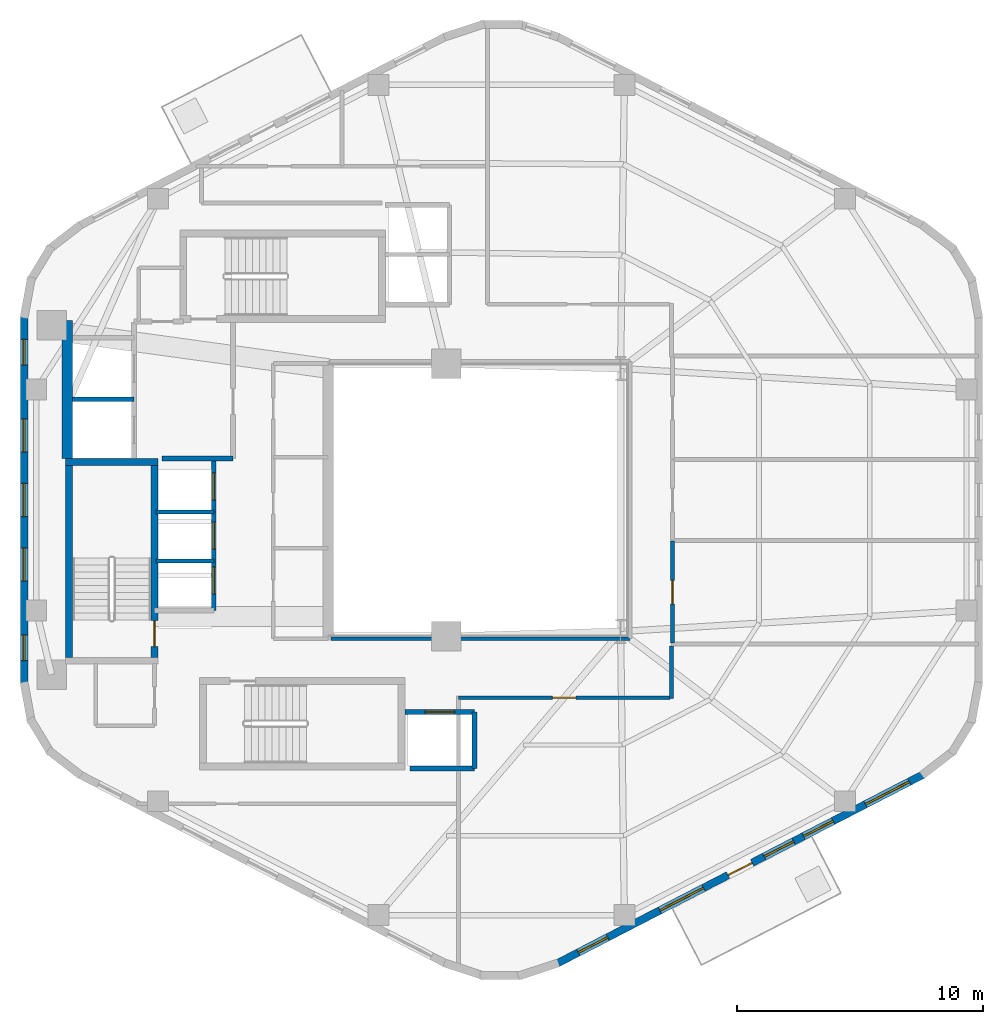
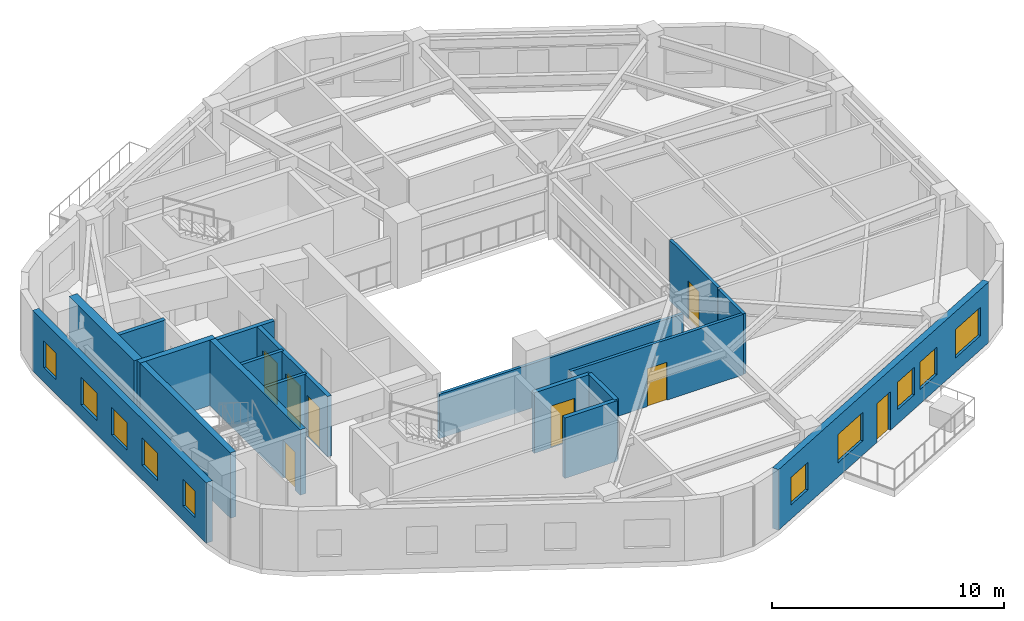
# One storey, part 3 of 8: 18 walls, 10 windows, 8 doors, 18 openings.
"""IFC4 building model written with IfcOpenShell, lengths in metres."""

from ifc_helpers import new_model, si_unit, direction, frame, frame_2d, origin, place, context, subcontext, project, spatial, rectangle, extrude, material, layer, layer_set, type_object, element, fill, save


model = new_model("IFC4")

# Units and contexts
model_context = context("Model", 3, precision=1e-05, world=origin(), true_north=direction((0.0, 1.0)))
body_context = subcontext(model_context, "Body", "Model", "MODEL_VIEW")
ifc_project = project(units=[si_unit("LENGTHUNIT", "METRE"), si_unit("AREAUNIT", "SQUARE_METRE"), si_unit("VOLUMEUNIT", "CUBIC_METRE"), si_unit("PLANEANGLEUNIT", "RADIAN"), si_unit("MASSUNIT", "GRAM", prefix="KILO"), si_unit("THERMODYNAMICTEMPERATUREUNIT", "KELVIN"), si_unit("POWERUNIT", "WATT")], contexts=[model_context])

# Site, building, storey
site_placement = place(None, origin())
site = spatial("IfcSite", under=ifc_project, at=site_placement, CompositionType="ELEMENT")
building_placement = place(site_placement, origin())
building = spatial("IfcBuilding", under=site, at=building_placement, Name="Skarre Station Tower", CompositionType="ELEMENT")
storey_placement = place(building_placement, frame((0.0, 0.0, 203.35009765625)))
storey = spatial("IfcBuildingStorey", under=building, at=storey_placement, Name="L55", CompositionType="ELEMENT", Elevation=203.35009765625)

# Wall
ifc_material_1 = material(Name="Acoustic Steel-Stud Gypsum Partition", Category="steel")
ifc_layer_1 = layer(ifc_material_1, 0.14990234375, Name="Acoustic Steel-Stud Gypsum Partition")
ifc_layer_set_1 = layer_set([ifc_layer_1], Name="Acoustic Steel-Stud Gypsum Partition")
wall_type_1 = type_object("IfcWallType", Name="Fire-Rated Corridor Acoustic Partition 150", PredefinedType="PARTITIONING", material=ifc_layer_set_1)
wall_1_placement = place(storey_placement, frame((27.675048828125, 18.360107421875, 0.0), z_axis=(0.0, 0.0, 1.0), x_axis=(1.0, 0.0, 0.0)))
element("IfcWall", 1, at=wall_1_placement, inside=storey, type_object=wall_type_1, Name="L55 Interior Partition WL-PT-L55-ATRW-S", PredefinedType="PARTITIONING", context=body_context, shape_type="SweptSolid", body=[
    extrude(rectangle(XDim=12.1650390625, YDim=0.14990234375, at=frame_2d((6.08251953125, 0.0))), origin(), (0.0, 0.0, 1.0), 2.330810546875),
])

# Wall, opening, door
wall_2_placement = place(storey_placement, frame((41.56005859375, 18.179931640625, 0.0), z_axis=(0.0, 0.0, 1.0), x_axis=(0.0, 1.0, 0.0)))
wall_2 = element("IfcWall", 2, at=wall_2_placement, inside=storey, type_object=wall_type_1, Name="L55 Interior Partition WL-PT-L55-EW1-CW", PredefinedType="PARTITIONING", context=body_context, shape_type="SweptSolid", body=[
    extrude(rectangle(XDim=4.149169921875, YDim=0.14990234375, at=frame_2d((2.07470703125, 0.0))), origin(), (0.0, 0.0, 1.0), 3.18994140625),
])
opening_1_placement = place(wall_2_placement, frame((1.594970703125, 0.0, 0.0)))
opening_1 = element("IfcOpeningElement", 3, at=opening_1_placement, cuts=wall_2, Name="Opening DR-FD60", PredefinedType="OPENING", context=body_context, shape_type="SweptSolid", body=[
    extrude(rectangle(XDim=0.9599609375, YDim=2.0, at=frame_2d((0.47998046875, 1.0))), frame((0.0, 0.0849609375, 0.0), z_axis=(0.0, -1.0, 0.0), x_axis=(1.0, 0.0, 0.0)), (0.0, 0.0, 1.0), 0.169921875),
])
ifc_material_2 = material(Name="Nordic White-Oak Veneer Solid-Core Fire Leaf", Category="wood")
door_type_1 = type_object("IfcDoorType", Name="Corridor Suite Entry Fire Door FD60 960x2150", OperationType="SINGLE_SWING_LEFT", PredefinedType="DOOR", material=ifc_material_2)
door_1_placement = place(opening_1_placement, origin())
door_1 = element("IfcDoor", 4, at=door_1_placement, inside=storey, type_object=door_type_1, Name="L55 EW1 Entry Door", OperationType="SINGLE_SWING_LEFT", OverallHeight=2.0, OverallWidth=0.9599609375, PredefinedType="DOOR", context=body_context, shape_type="SweptSolid", body=[
    extrude(rectangle(XDim=0.9599609375, YDim=2.0, at=frame_2d((0.47998046875, 1.0))), frame((0.0, 0.02490234375, 0.0), z_axis=(0.0, -1.0, 0.0), x_axis=(1.0, 0.0, 0.0)), (0.0, 0.0, 1.0), 0.050048828125),
])
fill(opening_1, door_1)

# Wall
wall_3_placement = place(storey_placement, frame((41.52001953125, 15.919921875, 0.0), z_axis=(0.0, 0.0, 1.0), x_axis=(0.0, 1.0, 0.0)))
element("IfcWall", 5, at=wall_3_placement, inside=storey, type_object=wall_type_1, Name="L55 Interior Partition WL-PT-L55-CORR-SER", PredefinedType="PARTITIONING", context=body_context, shape_type="SweptSolid", body=[
    extrude(rectangle(XDim=2.14208984375, YDim=0.14990234375, at=frame_2d((1.071044921875, 0.0))), origin(), (0.0, 0.0, 1.0), 3.18994140625),
])

# Wall, opening, door
wall_4_placement = place(storey_placement, frame((32.85009765625, 15.9599609375, 0.0), z_axis=(0.0, 0.0, 1.0), x_axis=(1.0, 0.0, 0.0)))
wall_4 = element("IfcWall", 6, at=wall_4_placement, inside=storey, type_object=wall_type_1, Name="L55 Interior Partition WL-PT-L55-SW1-CW", PredefinedType="PARTITIONING", context=body_context, shape_type="SweptSolid", body=[
    extrude(rectangle(XDim=8.60986328125, YDim=0.14990234375, at=frame_2d((4.304931640625, 0.0))), origin(), (0.0, 0.0, 1.0), 3.18994140625),
])
opening_2_placement = place(wall_4_placement, frame((3.824951171875, 0.0, 0.0)))
opening_2 = element("IfcOpeningElement", 7, at=opening_2_placement, cuts=wall_4, Name="Opening DR-FD60", PredefinedType="OPENING", context=body_context, shape_type="SweptSolid", body=[
    extrude(rectangle(XDim=0.9599609375, YDim=2.0, at=frame_2d((0.47998046875, 1.0))), frame((0.0, 0.0849609375, 0.0), z_axis=(0.0, -1.0, 0.0), x_axis=(1.0, 0.0, 0.0)), (0.0, 0.0, 1.0), 0.169921875),
])
door_2_placement = place(opening_2_placement, origin())
door_2 = element("IfcDoor", 8, at=door_2_placement, inside=storey, type_object=door_type_1, Name="L55 SW1 Entry Door", OperationType="SINGLE_SWING_LEFT", OverallHeight=2.0, OverallWidth=0.9599609375, PredefinedType="DOOR", context=body_context, shape_type="SweptSolid", body=[
    extrude(rectangle(XDim=0.9599609375, YDim=2.0, at=frame_2d((0.47998046875, 1.0))), frame((0.0, 0.02490234375, 0.0), z_axis=(0.0, -1.0, 0.0), x_axis=(1.0, 0.0, 0.0)), (0.0, 0.0, 1.0), 0.050048828125),
])
fill(opening_2, door_2)

# Wall, openings, windows
ifc_material_3 = material(Name="Precast concrete C45/55", Category="concrete")
ifc_layer_2 = layer(ifc_material_3, 0.31005859375, Name="Precast concrete C45/55")
ifc_layer_set_2 = layer_set([ifc_layer_2], Name="Precast concrete C45/55")
wall_type_2 = type_object("IfcWallType", Name="Nordic Upper-Zone Precast Facet Wall 310", PredefinedType="STANDARD", material=ifc_layer_set_2)
wall_5_placement = place(storey_placement, frame((15.18310546875, 16.498046875, 0.0), z_axis=(0.0, 0.0, 1.0), x_axis=(0.0, 1.0, 0.0)))
wall_5 = element("IfcWall", 9, at=wall_5_placement, inside=storey, type_object=wall_type_2, Name="L55 Facet 2 Nordic Precast Masonry Wall", PredefinedType="STANDARD", context=body_context, shape_type="SweptSolid", body=[
    extrude(rectangle(XDim=15.00390625, YDim=0.31005859375, at=frame_2d((7.501953125, 0.0))), origin(), (0.0, 0.0, 1.0), 3.18994140625),
])
opening_3_placement = place(wall_5_placement, frame((0.968017578125, 0.0, 0.75)))
opening_3 = element("IfcOpeningElement", 10, at=opening_3_placement, cuts=wall_5, Name="Opening WN-SLT", PredefinedType="OPENING", context=body_context, shape_type="SweptSolid", body=[
    extrude(rectangle(XDim=1.050048828125, YDim=1.39990234375, at=frame_2d((0.52490234375, 0.699951171875))), frame((0.0, 0.1650390625, 0.0), z_axis=(0.0, -1.0, 0.0), x_axis=(1.0, 0.0, 0.0)), (0.0, 0.0, 1.0), 0.330078125),
])
opening_4_placement = place(wall_5_placement, frame((4.202880859375, 0.0, 0.75)))
opening_4 = element("IfcOpeningElement", 11, at=opening_4_placement, cuts=wall_5, Name="Opening WN-Z3B", PredefinedType="OPENING", context=body_context, shape_type="SweptSolid", body=[
    extrude(rectangle(XDim=1.35009765625, YDim=1.449951171875, at=frame_2d((0.675048828125, 0.72509765625))), frame((0.0, 0.1650390625, 0.0), z_axis=(0.0, -1.0, 0.0), x_axis=(1.0, 0.0, 0.0)), (0.0, 0.0, 1.0), 0.330078125),
])
opening_5_placement = place(wall_5_placement, frame((6.826904296875, 0.0, 0.75)))
opening_5 = element("IfcOpeningElement", 12, at=opening_5_placement, cuts=wall_5, Name="Opening WN-Z3B", PredefinedType="OPENING", context=body_context, shape_type="SweptSolid", body=[
    extrude(rectangle(XDim=1.35009765625, YDim=1.449951171875, at=frame_2d((0.675048828125, 0.72509765625))), frame((0.0, 0.1650390625, 0.0), z_axis=(0.0, -1.0, 0.0), x_axis=(1.0, 0.0, 0.0)), (0.0, 0.0, 1.0), 0.330078125),
])
opening_6_placement = place(wall_5_placement, frame((9.450927734375, 0.0, 0.75)))
opening_6 = element("IfcOpeningElement", 13, at=opening_6_placement, cuts=wall_5, Name="Opening WN-Z3B", PredefinedType="OPENING", context=body_context, shape_type="SweptSolid", body=[
    extrude(rectangle(XDim=1.35009765625, YDim=1.449951171875, at=frame_2d((0.675048828125, 0.72509765625))), frame((0.0, 0.1650390625, 0.0), z_axis=(0.0, -1.0, 0.0), x_axis=(1.0, 0.0, 0.0)), (0.0, 0.0, 1.0), 0.330078125),
])
opening_7_placement = place(wall_5_placement, frame((12.986083984375, 0.0, 0.75)))
opening_7 = element("IfcOpeningElement", 14, at=opening_7_placement, cuts=wall_5, Name="Opening WN-SLT", PredefinedType="OPENING", context=body_context, shape_type="SweptSolid", body=[
    extrude(rectangle(XDim=1.050048828125, YDim=1.39990234375, at=frame_2d((0.52490234375, 0.699951171875))), frame((0.0, 0.1650390625, 0.0), z_axis=(0.0, -1.0, 0.0), x_axis=(1.0, 0.0, 0.0)), (0.0, 0.0, 1.0), 0.330078125),
])
ifc_material_4 = material(Name="Low-Iron Triple Glazing with Bronze Anodized Frame", Category="glass")
window_type_1 = type_object("IfcWindowType", Name="Nordic Corner Slot Window 1050x1400", PartitioningType="SINGLE_PANEL", PredefinedType="WINDOW", material=ifc_material_4)
window_1_placement = place(opening_3_placement, origin())
window_1 = element("IfcWindow", 15, at=window_1_placement, inside=storey, type_object=window_type_1, Name="L55 Facade Window WL-FAC-L55-F2-1", OverallHeight=1.39990234375, OverallWidth=1.050048828125, PartitioningType="SINGLE_PANEL", PredefinedType="WINDOW", context=body_context, shape_type="SweptSolid", body=[
    extrude(rectangle(XDim=1.050048828125, YDim=1.39990234375, at=frame_2d((0.52490234375, 0.699951171875))), frame((0.0, 0.030029296875, 0.0), z_axis=(0.0, -1.0, 0.0), x_axis=(1.0, 0.0, 0.0)), (0.0, 0.0, 1.0), 0.06005859375),
])
fill(opening_3, window_1)
window_2_placement = place(opening_7_placement, origin())
window_2 = element("IfcWindow", 16, at=window_2_placement, inside=storey, type_object=window_type_1, Name="L55 Facade Window WL-FAC-L55-F2-5", OverallHeight=1.39990234375, OverallWidth=1.050048828125, PartitioningType="SINGLE_PANEL", PredefinedType="WINDOW", context=body_context, shape_type="SweptSolid", body=[
    extrude(rectangle(XDim=1.050048828125, YDim=1.39990234375, at=frame_2d((0.52490234375, 0.699951171875))), frame((0.0, 0.030029296875, 0.0), z_axis=(0.0, -1.0, 0.0), x_axis=(1.0, 0.0, 0.0)), (0.0, 0.0, 1.0), 0.06005859375),
])
fill(opening_7, window_2)
window_type_2 = type_object("IfcWindowType", Name="Nordic Hospitality Narrow Window 1350x1450", PartitioningType="SINGLE_PANEL", PredefinedType="WINDOW", material=ifc_material_4)
window_3_placement = place(opening_4_placement, origin())
window_3 = element("IfcWindow", 17, at=window_3_placement, inside=storey, type_object=window_type_2, Name="L55 Facade Window WL-FAC-L55-F2-2", OverallHeight=1.449951171875, OverallWidth=1.35009765625, PartitioningType="SINGLE_PANEL", PredefinedType="WINDOW", context=body_context, shape_type="SweptSolid", body=[
    extrude(rectangle(XDim=1.35009765625, YDim=1.449951171875, at=frame_2d((0.675048828125, 0.72509765625))), frame((0.0, 0.030029296875, 0.0), z_axis=(0.0, -1.0, 0.0), x_axis=(1.0, 0.0, 0.0)), (0.0, 0.0, 1.0), 0.06005859375),
])
fill(opening_4, window_3)
window_4_placement = place(opening_5_placement, origin())
window_4 = element("IfcWindow", 18, at=window_4_placement, inside=storey, type_object=window_type_2, Name="L55 Facade Window WL-FAC-L55-F2-3", OverallHeight=1.449951171875, OverallWidth=1.35009765625, PartitioningType="SINGLE_PANEL", PredefinedType="WINDOW", context=body_context, shape_type="SweptSolid", body=[
    extrude(rectangle(XDim=1.35009765625, YDim=1.449951171875, at=frame_2d((0.675048828125, 0.72509765625))), frame((0.0, 0.030029296875, 0.0), z_axis=(0.0, -1.0, 0.0), x_axis=(1.0, 0.0, 0.0)), (0.0, 0.0, 1.0), 0.06005859375),
])
fill(opening_5, window_4)
window_5_placement = place(opening_6_placement, origin())
window_5 = element("IfcWindow", 19, at=window_5_placement, inside=storey, type_object=window_type_2, Name="L55 Facade Window WL-FAC-L55-F2-4", OverallHeight=1.449951171875, OverallWidth=1.35009765625, PartitioningType="SINGLE_PANEL", PredefinedType="WINDOW", context=body_context, shape_type="SweptSolid", body=[
    extrude(rectangle(XDim=1.35009765625, YDim=1.449951171875, at=frame_2d((0.675048828125, 0.72509765625))), frame((0.0, 0.030029296875, 0.0), z_axis=(0.0, -1.0, 0.0), x_axis=(1.0, 0.0, 0.0)), (0.0, 0.0, 1.0), 0.06005859375),
])
fill(opening_6, window_5)

# Wall, openings, windows, door
wall_6_placement = place(storey_placement, frame((51.7919921875, 12.846923828125, 0.0), z_axis=(0.0, 0.0, 1.0), x_axis=(-0.888626188278, -0.458632202867, 0.0)))
wall_6 = element("IfcWall", 20, at=wall_6_placement, inside=storey, type_object=wall_type_2, Name="L55 Facet 4 Nordic Precast Masonry Wall", PredefinedType="STANDARD", context=body_context, shape_type="SweptSolid", body=[
    extrude(rectangle(XDim=16.828369140625, YDim=0.31005859375, at=frame_2d((8.4140625, 0.0))), origin(), (0.0, 0.0, 1.0), 3.18994140625),
])
opening_8_placement = place(wall_6_placement, frame((7.864013671875, 0.0, 0.0)))
opening_8 = element("IfcOpeningElement", 21, at=opening_8_placement, cuts=wall_6, Name="Opening DR-BAL110", PredefinedType="OPENING", context=body_context, shape_type="SweptSolid", body=[
    extrude(rectangle(XDim=1.10009765625, YDim=2.0400390625, at=frame_2d((0.550048828125, 1.02001953125))), frame((0.0, 0.1650390625, 0.0), z_axis=(0.0, -1.0, 0.0), x_axis=(1.0, 0.0, 0.0)), (0.0, 0.0, 1.0), 0.330078125),
])
opening_9_placement = place(wall_6_placement, frame((0.675048828125, 0.0, 0.75)))
opening_9 = element("IfcOpeningElement", 22, at=opening_9_placement, cuts=wall_6, Name="Opening WN-Z3A", PredefinedType="OPENING", context=body_context, shape_type="SweptSolid", body=[
    extrude(rectangle(XDim=2.0, YDim=1.5, at=frame_2d((1.0, 0.75))), frame((0.0, 0.1650390625, 0.0), z_axis=(0.0, -1.0, 0.0), x_axis=(1.0, 0.0, 0.0)), (0.0, 0.0, 1.0), 0.330078125),
])
opening_10_placement = place(wall_6_placement, frame((4.158935546875, 0.0, 0.75)))
opening_10 = element("IfcOpeningElement", 23, at=opening_10_placement, cuts=wall_6, Name="Opening WN-Z3B", PredefinedType="OPENING", context=body_context, shape_type="SweptSolid", body=[
    extrude(rectangle(XDim=1.35009765625, YDim=1.449951171875, at=frame_2d((0.675048828125, 0.72509765625))), frame((0.0, 0.1650390625, 0.0), z_axis=(0.0, -1.0, 0.0), x_axis=(1.0, 0.0, 0.0)), (0.0, 0.0, 1.0), 0.330078125),
])
opening_11_placement = place(wall_6_placement, frame((5.966064453125, 0.0, 0.75)))
opening_11 = element("IfcOpeningElement", 24, at=opening_11_placement, cuts=wall_6, Name="Opening WN-Z3B", PredefinedType="OPENING", context=body_context, shape_type="SweptSolid", body=[
    extrude(rectangle(XDim=1.35009765625, YDim=1.449951171875, at=frame_2d((0.675048828125, 0.72509765625))), frame((0.0, 0.1650390625, 0.0), z_axis=(0.0, -1.0, 0.0), x_axis=(1.0, 0.0, 0.0)), (0.0, 0.0, 1.0), 0.330078125),
])
opening_12_placement = place(wall_6_placement, frame((10.091064453125, 0.0, 0.75)))
opening_12 = element("IfcOpeningElement", 25, at=opening_12_placement, cuts=wall_6, Name="Opening WN-Z3A", PredefinedType="OPENING", context=body_context, shape_type="SweptSolid", body=[
    extrude(rectangle(XDim=2.0, YDim=1.5, at=frame_2d((1.0, 0.75))), frame((0.0, 0.1650390625, 0.0), z_axis=(0.0, -1.0, 0.0), x_axis=(1.0, 0.0, 0.0)), (0.0, 0.0, 1.0), 0.330078125),
])
opening_13_placement = place(wall_6_placement, frame((14.47802734375, 0.0, 0.75)))
opening_13 = element("IfcOpeningElement", 26, at=opening_13_placement, cuts=wall_6, Name="Opening WN-Z3B", PredefinedType="OPENING", context=body_context, shape_type="SweptSolid", body=[
    extrude(rectangle(XDim=1.35009765625, YDim=1.449951171875, at=frame_2d((0.675048828125, 0.72509765625))), frame((0.0, 0.1650390625, 0.0), z_axis=(0.0, -1.0, 0.0), x_axis=(1.0, 0.0, 0.0)), (0.0, 0.0, 1.0), 0.330078125),
])
window_6_placement = place(opening_10_placement, origin())
window_6 = element("IfcWindow", 27, at=window_6_placement, inside=storey, type_object=window_type_2, Name="L55 Facade Window WL-FAC-L55-F4-2", OverallHeight=1.449951171875, OverallWidth=1.35009765625, PartitioningType="SINGLE_PANEL", PredefinedType="WINDOW", context=body_context, shape_type="SweptSolid", body=[
    extrude(rectangle(XDim=1.35009765625, YDim=1.449951171875, at=frame_2d((0.675048828125, 0.72509765625))), frame((0.0, 0.030029296875, 0.0), z_axis=(0.0, -1.0, 0.0), x_axis=(1.0, 0.0, 0.0)), (0.0, 0.0, 1.0), 0.06005859375),
])
fill(opening_10, window_6)
window_7_placement = place(opening_11_placement, origin())
window_7 = element("IfcWindow", 28, at=window_7_placement, inside=storey, type_object=window_type_2, Name="L55 Facade Window WL-FAC-L55-F4-3", OverallHeight=1.449951171875, OverallWidth=1.35009765625, PartitioningType="SINGLE_PANEL", PredefinedType="WINDOW", context=body_context, shape_type="SweptSolid", body=[
    extrude(rectangle(XDim=1.35009765625, YDim=1.449951171875, at=frame_2d((0.675048828125, 0.72509765625))), frame((0.0, 0.030029296875, 0.0), z_axis=(0.0, -1.0, 0.0), x_axis=(1.0, 0.0, 0.0)), (0.0, 0.0, 1.0), 0.06005859375),
])
fill(opening_11, window_7)
window_8_placement = place(opening_13_placement, origin())
window_8 = element("IfcWindow", 29, at=window_8_placement, inside=storey, type_object=window_type_2, Name="L55 Facade Window WL-FAC-L55-F4-5", OverallHeight=1.449951171875, OverallWidth=1.35009765625, PartitioningType="SINGLE_PANEL", PredefinedType="WINDOW", context=body_context, shape_type="SweptSolid", body=[
    extrude(rectangle(XDim=1.35009765625, YDim=1.449951171875, at=frame_2d((0.675048828125, 0.72509765625))), frame((0.0, 0.030029296875, 0.0), z_axis=(0.0, -1.0, 0.0), x_axis=(1.0, 0.0, 0.0)), (0.0, 0.0, 1.0), 0.06005859375),
])
fill(opening_13, window_8)
window_type_3 = type_object("IfcWindowType", Name="Nordic Hospitality Window 2000x1500", PartitioningType="SINGLE_PANEL", PredefinedType="WINDOW", material=ifc_material_4)
window_9_placement = place(opening_9_placement, origin())
window_9 = element("IfcWindow", 30, at=window_9_placement, inside=storey, type_object=window_type_3, Name="L55 Facade Window WL-FAC-L55-F4-1", OverallHeight=1.5, OverallWidth=2.0, PartitioningType="SINGLE_PANEL", PredefinedType="WINDOW", context=body_context, shape_type="SweptSolid", body=[
    extrude(rectangle(XDim=2.0, YDim=1.5, at=frame_2d((1.0, 0.75))), frame((0.0, 0.030029296875, 0.0), z_axis=(0.0, -1.0, 0.0), x_axis=(1.0, 0.0, 0.0)), (0.0, 0.0, 1.0), 0.06005859375),
])
fill(opening_9, window_9)
window_10_placement = place(opening_12_placement, origin())
window_10 = element("IfcWindow", 31, at=window_10_placement, inside=storey, type_object=window_type_3, Name="L55 Facade Window WL-FAC-L55-F4-4", OverallHeight=1.5, OverallWidth=2.0, PartitioningType="SINGLE_PANEL", PredefinedType="WINDOW", context=body_context, shape_type="SweptSolid", body=[
    extrude(rectangle(XDim=2.0, YDim=1.5, at=frame_2d((1.0, 0.75))), frame((0.0, 0.030029296875, 0.0), z_axis=(0.0, -1.0, 0.0), x_axis=(1.0, 0.0, 0.0)), (0.0, 0.0, 1.0), 0.06005859375),
])
fill(opening_12, window_10)
ifc_material_5 = material(Name="Thermally Broken Aluminium & Triple Glazing", Category="aluminium")
door_type_2 = type_object("IfcDoorType", Name="Terrace & Tree-Balcony Glazed Door 1100x2200", OperationType="SINGLE_SWING_LEFT", PredefinedType="DOOR", material=ifc_material_5)
door_3_placement = place(opening_8_placement, origin())
door_3 = element("IfcDoor", 32, at=door_3_placement, inside=storey, type_object=door_type_2, Name="L55 TB-L55-F4 Tree-Balcony Glazed Door", OperationType="SINGLE_SWING_LEFT", OverallHeight=2.0400390625, OverallWidth=1.10009765625, PredefinedType="DOOR", context=body_context, shape_type="SweptSolid", body=[
    extrude(rectangle(XDim=1.10009765625, YDim=2.0400390625, at=frame_2d((0.550048828125, 1.02001953125))), frame((0.0, 0.02490234375, 0.0), z_axis=(0.0, -1.0, 0.0), x_axis=(1.0, 0.0, 0.0)), (0.0, 0.0, 1.0), 0.050048828125),
])
fill(opening_8, door_3)

# Walls
ifc_material_6 = material(Name="Concrete C50/60", Category="concrete")
ifc_layer_3 = layer(ifc_material_6, 0.280029296875, Name="Concrete C50/60")
ifc_layer_set_3 = layer_set([ifc_layer_3], Name="Concrete C50/60")
wall_type_3 = type_object("IfcWallType", Name="RC Core Shear Wall 280", PredefinedType="SHEAR", material=ifc_layer_set_3)
wall_7_placement = place(storey_placement, frame((20.6298828125, 25.5400390625, 0.0), z_axis=(0.0, 0.0, 1.0), x_axis=(-1.0, 0.0, 0.0)))
element("IfcWall", 33, at=wall_7_placement, inside=storey, type_object=wall_type_3, Name="L55 Stair ST-1 North Shear Wall", PredefinedType="SHEAR", context=body_context, shape_type="SweptSolid", body=[
    extrude(rectangle(XDim=3.759765625, YDim=0.280029296875, at=frame_2d((1.8798828125, 0.0))), origin(), (0.0, 0.0, 1.0), 3.449951171875),
])
wall_8_placement = place(storey_placement, frame((17.010009765625, 25.39990234375, 0.0), z_axis=(0.0, 0.0, 1.0), x_axis=(0.0, -1.0, 0.0)))
element("IfcWall", 34, at=wall_8_placement, inside=storey, type_object=wall_type_3, Name="L55 Stair ST-1 West Shear Wall", PredefinedType="SHEAR", context=body_context, shape_type="SweptSolid", body=[
    extrude(rectangle(XDim=7.7998046875, YDim=0.280029296875, at=frame_2d((3.89990234375, 0.0))), origin(), (0.0, 0.0, 1.0), 3.449951171875),
])

# Wall, opening, door
wall_9_placement = place(storey_placement, frame((20.489990234375, 17.60009765625, 0.0), z_axis=(0.0, 0.0, 1.0), x_axis=(0.0, 1.0, 0.0)))
wall_9 = element("IfcWall", 35, at=wall_9_placement, inside=storey, type_object=wall_type_3, Name="L55 Stair ST-1 East Shear Wall", PredefinedType="SHEAR", context=body_context, shape_type="SweptSolid", body=[
    extrude(rectangle(XDim=7.7998046875, YDim=0.280029296875, at=frame_2d((3.89990234375, 0.0))), origin(), (0.0, 0.0, 1.0), 3.449951171875),
])
opening_14_placement = place(wall_9_placement, frame((0.43994140625, 0.0, 0.0)))
opening_14 = element("IfcOpeningElement", 36, at=opening_14_placement, cuts=wall_9, Name="Opening DR-FD90", PredefinedType="OPENING", context=body_context, shape_type="SweptSolid", body=[
    extrude(rectangle(XDim=1.050048828125, YDim=2.0, at=frame_2d((0.52490234375, 1.0))), frame((0.0, 0.14990234375, 0.0), z_axis=(0.0, -1.0, 0.0), x_axis=(1.0, 0.0, 0.0)), (0.0, 0.0, 1.0), 0.300048828125),
])
ifc_material_7 = material(Name="Fire-Rated Insulated Steel Frame & Timber Core Leaf", Category="steel")
door_type_3 = type_object("IfcDoorType", Name="Stair & FSAE Lobby Fire Door FD90 1050x2150", OperationType="SINGLE_SWING_RIGHT", PredefinedType="DOOR", material=ifc_material_7)
door_4_placement = place(opening_14_placement, origin())
door_4 = element("IfcDoor", 37, at=door_4_placement, inside=storey, type_object=door_type_3, Name="L55 Stair ST-1 Exit Door", OperationType="SINGLE_SWING_RIGHT", OverallHeight=2.0, OverallWidth=1.050048828125, PredefinedType="DOOR", context=body_context, shape_type="SweptSolid", body=[
    extrude(rectangle(XDim=1.050048828125, YDim=2.0, at=frame_2d((0.52490234375, 1.0))), frame((0.0, 0.02490234375, 0.0), z_axis=(0.0, -1.0, 0.0), x_axis=(1.0, 0.0, 0.0)), (0.0, 0.0, 1.0), 0.050048828125),
])
fill(opening_14, door_4)

# Walls
ifc_material_8 = material(Name="Concrete C60/75", Category="concrete")
ifc_layer_4 = layer(ifc_material_8, 0.419921875, Name="Concrete C60/75")
ifc_layer_set_4 = layer_set([ifc_layer_4], Name="Concrete C60/75")
wall_type_4 = type_object("IfcWallType", Name="RC Core Shear Wall 420", PredefinedType="SHEAR", material=ifc_layer_set_4)
wall_10_placement = place(storey_placement, frame((16.93994140625, 25.679931640625, 0.0), z_axis=(0.0, 0.0, 1.0), x_axis=(0.0, 1.0, 0.0)))
element("IfcWall", 38, at=wall_10_placement, inside=storey, type_object=wall_type_4, Name="L55 Core West-North Shear Wall", PredefinedType="SHEAR", context=body_context, shape_type="SweptSolid", body=[
    extrude(rectangle(XDim=5.6201171875, YDim=0.419921875, at=frame_2d((2.81005859375, 0.0))), origin(), (0.0, 0.0, 1.0), 3.449951171875),
])
ifc_material_9 = material(Name="Gypsum Concrete Shaft Assembly C30/37", Category="concrete")
ifc_layer_5 = layer(ifc_material_9, 0.199951171875, Name="Gypsum Concrete Shaft Assembly C30/37")
ifc_layer_set_5 = layer_set([ifc_layer_5], Name="Gypsum Concrete Shaft Assembly C30/37")
wall_type_5 = type_object("IfcWallType", Name="Shaft & Core Fire Partition 200", PredefinedType="PARTITIONING", material=ifc_layer_set_5)
wall_11_placement = place(storey_placement, frame((20.79296875, 25.679931640625, 0.0), z_axis=(0.0, 0.0, 1.0), x_axis=(1.0, 0.0, 0.0)))
element("IfcWall", 39, at=wall_11_placement, inside=storey, type_object=wall_type_5, Name="L55 Interior Partition WL-PT-L55-FSAE-S", PredefinedType="PARTITIONING", context=body_context, shape_type="SweptSolid", body=[
    extrude(rectangle(XDim=2.886962890625, YDim=0.199951171875, at=frame_2d((1.443359375, 0.0))), origin(), (0.0, 0.0, 1.0), 3.18994140625),
])
wall_12_placement = place(storey_placement, frame((17.14990234375, 28.10009765625, 0.0), z_axis=(0.0, 0.0, 1.0), x_axis=(1.0, 0.0, 0.0)))
element("IfcWall", 40, at=wall_12_placement, inside=storey, type_object=wall_type_5, Name="L55 Interior Partition WL-PT-L55-FF-DIV", PredefinedType="PARTITIONING", context=body_context, shape_type="SweptSolid", body=[
    extrude(rectangle(XDim=2.5, YDim=0.199951171875, at=frame_2d((1.25, 0.0))), origin(), (0.0, 0.0, 1.0), 3.18994140625),
])

# Wall, opening, door
wall_13_placement = place(storey_placement, frame((33.5, 15.3798828125, 0.0), z_axis=(0.0, 0.0, 1.0), x_axis=(-1.0, 0.0, 0.0)))
wall_13 = element("IfcWall", 41, at=wall_13_placement, inside=storey, type_object=wall_type_5, Name="L55 Interior Partition WL-PT-L55-SV1-N", PredefinedType="PARTITIONING", context=body_context, shape_type="SweptSolid", body=[
    extrude(rectangle(XDim=2.820068359375, YDim=0.199951171875, at=frame_2d((1.41015625, 0.0))), origin(), (0.0, 0.0, 1.0), 3.18994140625),
])
opening_15_placement = place(wall_13_placement, frame((0.800048828125, 0.0, 0.0)))
opening_15 = element("IfcOpeningElement", 42, at=opening_15_placement, cuts=wall_13, Name="Opening LD-SV1", PredefinedType="OPENING", context=body_context, shape_type="SweptSolid", body=[
    extrude(rectangle(XDim=1.199951171875, YDim=2.199951171875, at=frame_2d((0.60009765625, 1.10009765625))), frame((0.0, 0.10986328125, 0.0), z_axis=(0.0, -1.0, 0.0), x_axis=(1.0, 0.0, 0.0)), (0.0, 0.0, 1.0), 0.219970703125),
])
ifc_material_10 = material(Name="Heavy-Gauge Brushed Stainless Steel Sliding Leaves", Category="steel")
door_type_4 = type_object("IfcDoorType", Name="Service Elevator Wide Sliding Landing Door 1200x2200", OperationType="SLIDING_TO_RIGHT", PredefinedType="DOOR", material=ifc_material_10)
door_5_placement = place(opening_15_placement, origin())
door_5 = element("IfcDoor", 43, at=door_5_placement, inside=storey, type_object=door_type_4, Name="L55 Service Lift LF-SV1 Landing Door", OperationType="SLIDING_TO_RIGHT", OverallHeight=2.199951171875, OverallWidth=1.199951171875, PredefinedType="DOOR", context=body_context, shape_type="SweptSolid", body=[
    extrude(rectangle(XDim=1.199951171875, YDim=2.199951171875, at=frame_2d((0.60009765625, 1.10009765625))), frame((0.0, 0.02490234375, 0.0), z_axis=(0.0, -1.0, 0.0), x_axis=(1.0, 0.0, 0.0)), (0.0, 0.0, 1.0), 0.050048828125),
])
fill(opening_15, door_5)

# Walls
wall_14_placement = place(storey_placement, frame((33.5, 13.080078125, 0.0), z_axis=(0.0, 0.0, 1.0), x_axis=(0.0, 1.0, 0.0)))
element("IfcWall", 44, at=wall_14_placement, inside=storey, type_object=wall_type_5, Name="L55 Interior Partition WL-PT-L55-SV1-E", PredefinedType="PARTITIONING", context=body_context, shape_type="SweptSolid", body=[
    extrude(rectangle(XDim=2.2998046875, YDim=0.199951171875, at=frame_2d((1.14990234375, 0.0))), origin(), (0.0, 0.0, 1.0), 3.18994140625),
])
wall_15_placement = place(storey_placement, frame((30.87890625, 13.080078125, 0.0), z_axis=(0.0, 0.0, 1.0), x_axis=(1.0, 0.0, 0.0)))
element("IfcWall", 45, at=wall_15_placement, inside=storey, type_object=wall_type_5, Name="L55 Interior Partition WL-PT-L55-SV1-S", PredefinedType="PARTITIONING", context=body_context, shape_type="SweptSolid", body=[
    extrude(rectangle(XDim=2.62109375, YDim=0.199951171875, at=frame_2d((1.310546875, 0.0))), origin(), (0.0, 0.0, 1.0), 3.18994140625),
])

# Wall, openings, doors
wall_16_placement = place(storey_placement, frame((22.89990234375, 19.5, 0.0), z_axis=(0.0, 0.0, 1.0), x_axis=(0.0, 1.0, 0.0)))
wall_16 = element("IfcWall", 46, at=wall_16_placement, inside=storey, type_object=wall_type_5, Name="L55 Interior Partition WL-PT-L55-B3-E", PredefinedType="PARTITIONING", context=body_context, shape_type="SweptSolid", body=[
    extrude(rectangle(XDim=6.0849609375, YDim=0.199951171875, at=frame_2d((3.04248046875, 0.0))), origin(), (0.0, 0.0, 1.0), 3.18994140625),
])
opening_16_placement = place(wall_16_placement, frame((0.679931640625, 0.0, 0.0)))
opening_16 = element("IfcOpeningElement", 47, at=opening_16_placement, cuts=wall_16, Name="Opening LD-P7", PredefinedType="OPENING", context=body_context, shape_type="SweptSolid", body=[
    extrude(rectangle(XDim=1.10009765625, YDim=2.199951171875, at=frame_2d((0.550048828125, 1.10009765625))), frame((0.0, 0.10986328125, 0.0), z_axis=(0.0, -1.0, 0.0), x_axis=(1.0, 0.0, 0.0)), (0.0, 0.0, 1.0), 0.219970703125),
])
opening_17_placement = place(wall_16_placement, frame((2.5, 0.0, 0.0)))
opening_17 = element("IfcOpeningElement", 48, at=opening_17_placement, cuts=wall_16, Name="Opening LD-P8", PredefinedType="OPENING", context=body_context, shape_type="SweptSolid", body=[
    extrude(rectangle(XDim=1.10009765625, YDim=2.199951171875, at=frame_2d((0.550048828125, 1.10009765625))), frame((0.0, 0.10986328125, 0.0), z_axis=(0.0, -1.0, 0.0), x_axis=(1.0, 0.0, 0.0)), (0.0, 0.0, 1.0), 0.219970703125),
])
opening_18_placement = place(wall_16_placement, frame((4.5, 0.0, 0.0)))
opening_18 = element("IfcOpeningElement", 49, at=opening_18_placement, cuts=wall_16, Name="Opening LD-P9", PredefinedType="OPENING", context=body_context, shape_type="SweptSolid", body=[
    extrude(rectangle(XDim=1.10009765625, YDim=2.199951171875, at=frame_2d((0.550048828125, 1.10009765625))), frame((0.0, 0.10986328125, 0.0), z_axis=(0.0, -1.0, 0.0), x_axis=(1.0, 0.0, 0.0)), (0.0, 0.0, 1.0), 0.219970703125),
])
ifc_material_11 = material(Name="Brushed Bronze Stainless Steel Sliding Leaves", Category="steel")
door_type_5 = type_object("IfcDoorType", Name="Passenger Elevator Center-Parting Sliding Door 1100x2200", OperationType="SLIDING_TO_LEFT", PredefinedType="DOOR", material=ifc_material_11)
door_6_placement = place(opening_16_placement, origin())
door_6 = element("IfcDoor", 50, at=door_6_placement, inside=storey, type_object=door_type_5, Name="L55 Passenger Lift LF-P7 Landing Door", OperationType="SLIDING_TO_LEFT", OverallHeight=2.199951171875, OverallWidth=1.10009765625, PredefinedType="DOOR", context=body_context, shape_type="SweptSolid", body=[
    extrude(rectangle(XDim=1.10009765625, YDim=2.199951171875, at=frame_2d((0.550048828125, 1.10009765625))), frame((0.0, 0.02490234375, 0.0), z_axis=(0.0, -1.0, 0.0), x_axis=(1.0, 0.0, 0.0)), (0.0, 0.0, 1.0), 0.050048828125),
])
fill(opening_16, door_6)
door_7_placement = place(opening_17_placement, origin())
door_7 = element("IfcDoor", 51, at=door_7_placement, inside=storey, type_object=door_type_5, Name="L55 Passenger Lift LF-P8 Landing Door", OperationType="SLIDING_TO_LEFT", OverallHeight=2.199951171875, OverallWidth=1.10009765625, PredefinedType="DOOR", context=body_context, shape_type="SweptSolid", body=[
    extrude(rectangle(XDim=1.10009765625, YDim=2.199951171875, at=frame_2d((0.550048828125, 1.10009765625))), frame((0.0, 0.02490234375, 0.0), z_axis=(0.0, -1.0, 0.0), x_axis=(1.0, 0.0, 0.0)), (0.0, 0.0, 1.0), 0.050048828125),
])
fill(opening_17, door_7)
door_8_placement = place(opening_18_placement, origin())
door_8 = element("IfcDoor", 52, at=door_8_placement, inside=storey, type_object=door_type_5, Name="L55 Passenger Lift LF-P9 Landing Door", OperationType="SLIDING_TO_LEFT", OverallHeight=2.199951171875, OverallWidth=1.10009765625, PredefinedType="DOOR", context=body_context, shape_type="SweptSolid", body=[
    extrude(rectangle(XDim=1.10009765625, YDim=2.199951171875, at=frame_2d((0.550048828125, 1.10009765625))), frame((0.0, 0.02490234375, 0.0), z_axis=(0.0, -1.0, 0.0), x_axis=(1.0, 0.0, 0.0)), (0.0, 0.0, 1.0), 0.050048828125),
])
fill(opening_18, door_8)

# Walls
for number, where, z_axis, x_axis, name in (
    (53, (20.550048828125, 21.52001953125, 0.0), (0.0, 0.0, 1.0), (1.0, 0.0, 0.0), "L55 Interior Partition WL-PT-L55-B3-D1"),
    (54, (20.550048828125, 23.52001953125, 0.0), (0.0, 0.0, 1.0), (1.0, 0.0, 0.0), "L55 Interior Partition WL-PT-L55-B3-D2"),
):
    element("IfcWall", number, at=place(storey_placement, frame(where, z_axis=z_axis, x_axis=x_axis)), inside=storey, type_object=wall_type_5, Name=name, PredefinedType="PARTITIONING", context=body_context, shape_type="SweptSolid", body=[
        extrude(rectangle(XDim=2.349853515625, YDim=0.159912109375, at=frame_2d((1.1748046875, 0.0))), origin(), (0.0, 0.0, 1.0), 3.18994140625),
    ])

save(model, "model.ifc")
